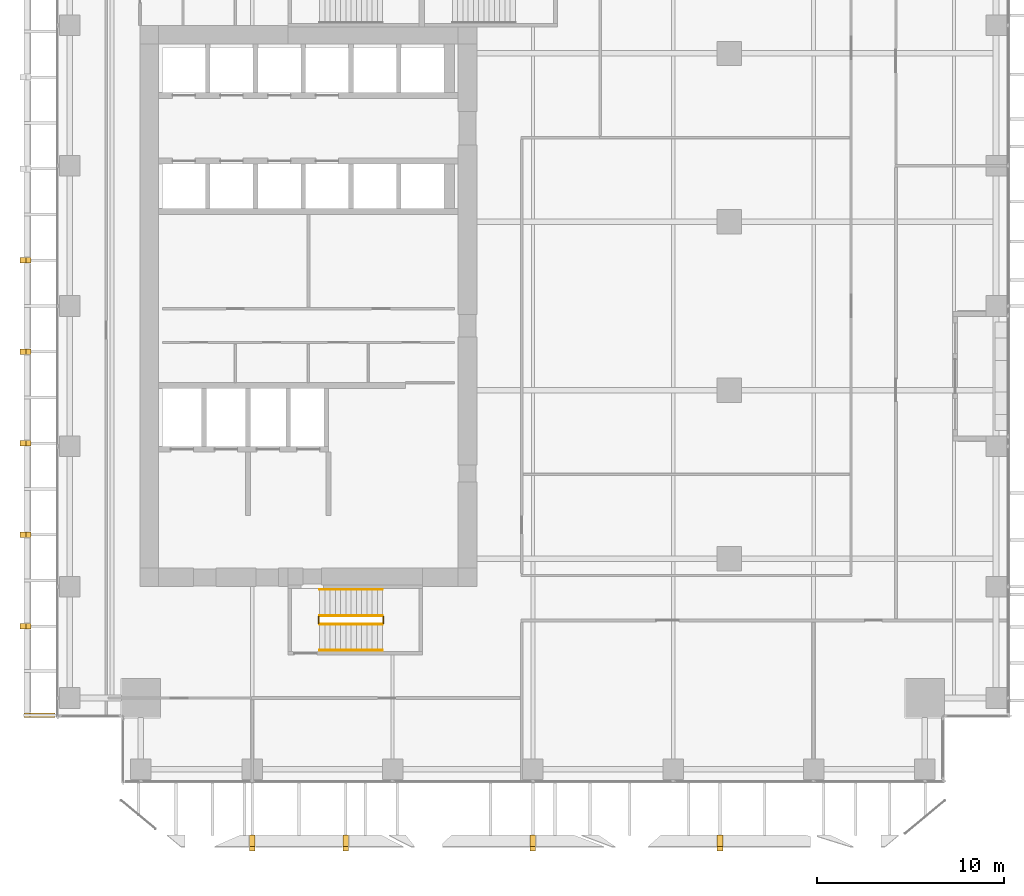
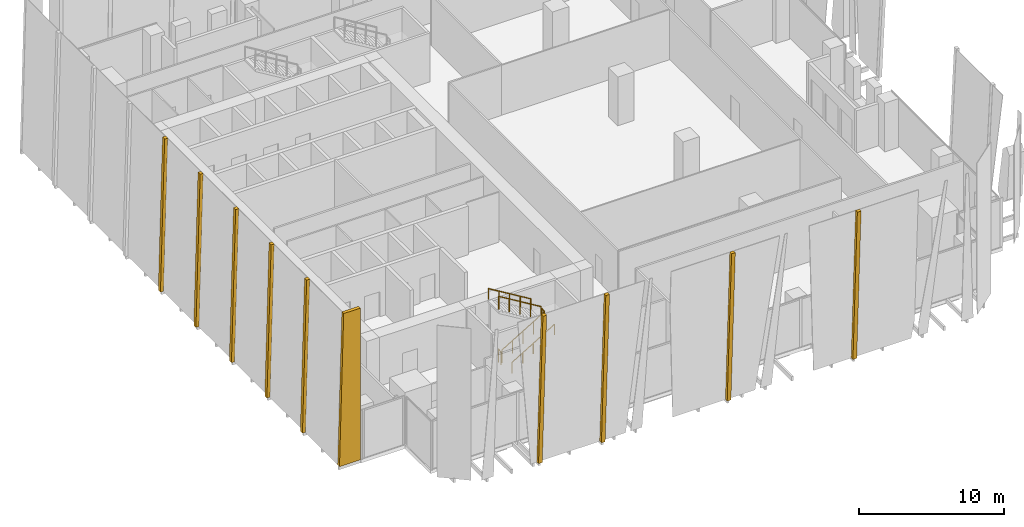
# One storey, part 32 of 36: 10 coverings, 6 railings.
"""IFC4 building model written with IfcOpenShell, lengths in metres."""

from ifc_helpers import new_model, si_unit, direction, frame, origin, origin_2d, place, context, subcontext, project, spatial, polyline, circle, outline, extrude, source, transform, mapped, material, layer, layer_set, type_object, element, save


model = new_model("IFC4")

# Units and contexts
model_context = context("Model", 3, precision=1e-05, world=origin(), true_north=direction((0.0, 1.0)))
body_context = subcontext(model_context, "Body", "Model", "MODEL_VIEW")
ifc_project = project(units=[si_unit("LENGTHUNIT", "METRE"), si_unit("AREAUNIT", "SQUARE_METRE"), si_unit("VOLUMEUNIT", "CUBIC_METRE"), si_unit("PLANEANGLEUNIT", "RADIAN"), si_unit("MASSUNIT", "GRAM", prefix="KILO")], contexts=[model_context])

# Site, building, storey
site_placement = place(None, origin())
site = spatial("IfcSite", under=ifc_project, at=site_placement, CompositionType="ELEMENT")
building_placement = place(site_placement, origin())
building = spatial("IfcBuilding", under=site, at=building_placement, Name="Khomas Fold Tower", CompositionType="ELEMENT")
storey_placement = place(building_placement, frame((0.0, 0.0, 141.10009765625)))
storey = spatial("IfcBuildingStorey", under=building, at=storey_placement, Name="L30", CompositionType="ELEMENT", Elevation=141.10009765625)

# Coverings
ifc_material_1 = material(Name="Natural stone cladding", Category="masonry")
ifc_layer = layer(ifc_material_1, 0.25)
ifc_layer_set = layer_set([ifc_layer], Name="Natural stone cladding")
covering_type = type_object("IfcCoveringType", Name="SK-Karibib marble stone mullion", PredefinedType="CLADDING", material=ifc_layer_set)
for number, where, z_axis, x_axis, name in (
    (1, (11.85009765625, -1.27978515625, 0.0), (0.0, 0.998875266546, 0.047415207295), (0.0, -0.047415207295, 0.998875266546), "OUTER SKIN mullion L30 SM100-5"),
    (2, (16.85009765625, -1.27978515625, 0.0), (0.0, 0.998875266546, 0.047415207295), (0.0, -0.047415207295, 0.998875266546), "OUTER SKIN mullion L30 SM101-7"),
    (3, (26.85009765625, -1.27978515625, 0.0), (0.0, 0.998875266546, 0.047415207295), (0.0, -0.047415207295, 0.998875266546), "OUTER SKIN mullion L30 SM103-11"),
    (4, (36.85009765625, -1.27978515625, 0.0), (0.0, 0.998875266546, 0.047415207295), (0.0, -0.047415207295, 0.998875266546), "OUTER SKIN mullion L30 SM105-15"),
):
    element("IfcCovering", number, at=place(storey_placement, frame(where, z_axis=z_axis, x_axis=x_axis)), inside=storey, type_object=covering_type, Name=name, PredefinedType="CLADDING", context=body_context, shape_type="SweptSolid", body=[
        extrude(outline(polyline([(0.0, 0.0), (12.764356498773964, 0.0), (12.764356498773964, 0.2998046875), (0.0, 0.2998046875), (0.0, 0.0)])), origin(), (0.0, 0.0, -1.0), 0.25),
    ])
for number, where, z_axis, x_axis, name in (
    (5, (-0.412841796875, 9.73876953125, 0.00634765625), (-0.999657592188, 0.0, 0.026166741891), (0.0, 1.0, 0.0), "OUTER SKIN mullion L30 W2"),
    (6, (-0.412841796875, 14.627685546875, 0.00634765625), (-0.999657592188, 0.0, 0.026166741891), (0.0, 1.0, 0.0), "OUTER SKIN mullion L30 W4"),
    (7, (-0.412841796875, 19.5166015625, 0.00634765625), (-0.999657592188, 0.0, 0.026166741891), (0.0, 1.0, 0.0), "OUTER SKIN mullion L30 W6"),
    (8, (-0.412841796875, 24.405517578125, 0.00634765625), (-0.999657592188, 0.0, 0.026166741891), (0.0, 1.0, 0.0), "OUTER SKIN mullion L30 W8"),
    (9, (-0.412841796875, 29.29443359375, 0.00634765625), (-0.999657592188, 0.0, 0.026166741891), (0.0, 1.0, 0.0), "OUTER SKIN mullion L30 W10"),
):
    element("IfcCovering", number, at=place(storey_placement, frame(where, z_axis=z_axis, x_axis=x_axis)), inside=storey, type_object=covering_type, Name=name, PredefinedType="CLADDING", context=body_context, shape_type="SweptSolid", body=[
        extrude(outline(polyline([(0.0, 0.0), (0.300048828125, 0.0), (0.300048828125, -12.754367194966619), (0.0, -12.754367194966619), (0.0, 0.0)])), origin(), (0.0, 0.0, -1.0), 0.25),
    ])
covering_placement = place(storey_placement, frame((1.449951171875, 5.0, 12.75), z_axis=(0.0, -1.0, 0.0), x_axis=(-1.0, 0.0, 0.0)))
element("IfcCovering", 10, at=covering_placement, inside=storey, type_object=covering_type, Name="OUTER SKIN return L30 W1", PredefinedType="CLADDING", context=body_context, shape_type="SweptSolid", body=[
    extrude(outline(polyline([(0.0, 0.0), (1.319091796875, 0.0), (1.653076171875, 12.75), (0.0, 12.75), (0.0, 0.0)])), origin(), (0.0, 0.0, -1.0), 0.25),
])

# Railings
ifc_material_2 = material(Name="Steel balustrade", Category="steel")
railing_type_1 = type_object("IfcRailingType", Name="Stair guard", PredefinedType="GUARDRAIL", material=ifc_material_2)
shared_shape_1 = source(origin(), body_context, "Body", "SweptSolid", [
    extrude(circle(Radius=0.02392578125, at=origin_2d()), frame((0.0, 0.0, 1.076171875), z_axis=(0.0, 1.0, 0.0), x_axis=(-1.0, 0.0, 0.0)), (0.0, 0.0, 1.0), 0.349853515625),
    extrude(circle(Radius=0.02099609375, at=origin_2d()), origin(), (0.0, 0.0, 1.0), 1.052001953125),
    extrude(circle(Radius=0.02099609375, at=origin_2d()), frame((0.0, 0.349853515625, 0.0)), (0.0, 0.0, 1.0), 1.052001953125),
])
for number, where, name in (
    (11, (19.010009765625, 10.050048828125, 2.199951171875), "L30 ST2 stair guard 2"),
    (12, (15.550048828125, 10.050048828125, 0.0), "L30 ST2 stair guard 4"),
):
    element("IfcRailing", number, at=place(storey_placement, frame(where)), inside=storey, type_object=railing_type_1, Name=name, PredefinedType="GUARDRAIL", context=body_context, shape_type="MappedRepresentation", body=[
        mapped(shared_shape_1, transform((0.0, 0.0, 0.0))),
    ])
shared_shape_2 = source(origin(), body_context, "Body", "SweptSolid", [
    extrude(circle(Radius=0.02392578125, at=origin_2d()), frame((0.0, 0.0, 1.076171875), z_axis=(0.855820338506, 0.0, 0.51727318527), x_axis=(0.0, 1.0, 0.0)), (0.0, 0.0, 1.0), 3.92578125),
    extrude(circle(Radius=0.02099609375, at=origin_2d()), origin(), (0.0, 0.0, 1.0), 1.052001953125),
    extrude(circle(Radius=0.02099609375, at=origin_2d()), frame((0.83984375, 0.0, 0.5078125)), (0.0, 0.0, 1.0), 1.052001953125),
    extrude(circle(Radius=0.02099609375, at=origin_2d()), frame((1.679931640625, 0.0, 1.015380859375)), (0.0, 0.0, 1.0), 1.052001953125),
    extrude(circle(Radius=0.02099609375, at=origin_2d()), frame((2.52001953125, 0.0, 1.52294921875)), (0.0, 0.0, 1.0), 1.052001953125),
    extrude(circle(Radius=0.02099609375, at=origin_2d()), frame((3.35986328125, 0.0, 2.03076171875)), (0.0, 0.0, 1.0), 1.052001953125),
])
railing_1_placement = place(storey_placement, frame((15.60009765625, 10.0, 0.169189453125)))
element("IfcRailing", 13, at=railing_1_placement, inside=storey, type_object=railing_type_1, Name="L30 ST2 stair guard 1", PredefinedType="GUARDRAIL", context=body_context, shape_type="MappedRepresentation", body=[
    mapped(shared_shape_2, transform((0.0, 0.0, 0.0))),
])
shared_shape_3 = source(origin(), body_context, "Body", "SweptSolid", [
    extrude(circle(Radius=0.02392578125, at=origin_2d()), frame((0.0, 0.0, 1.076171875), z_axis=(-0.855820338506, 0.0, 0.51727318527), x_axis=(0.0, -1.0, 0.0)), (0.0, 0.0, 1.0), 3.92578125),
    extrude(circle(Radius=0.02099609375, at=origin_2d()), origin(), (0.0, 0.0, 1.0), 1.052001953125),
    extrude(circle(Radius=0.02099609375, at=origin_2d()), frame((-0.83984375, 0.0, 0.5078125)), (0.0, 0.0, 1.0), 1.052001953125),
    extrude(circle(Radius=0.02099609375, at=origin_2d()), frame((-1.679931640625, 0.0, 1.015380859375)), (0.0, 0.0, 1.0), 1.052001953125),
    extrude(circle(Radius=0.02099609375, at=origin_2d()), frame((-2.52001953125, 0.0, 1.52294921875)), (0.0, 0.0, 1.0), 1.052001953125),
    extrude(circle(Radius=0.02099609375, at=origin_2d()), frame((-3.35986328125, 0.0, 2.03076171875)), (0.0, 0.0, 1.0), 1.052001953125),
])
railing_2_placement = place(storey_placement, frame((18.9599609375, 10.449951171875, 2.369140625)))
element("IfcRailing", 14, at=railing_2_placement, inside=storey, type_object=railing_type_1, Name="L30 ST2 stair guard 3", PredefinedType="GUARDRAIL", context=body_context, shape_type="MappedRepresentation", body=[
    mapped(shared_shape_3, transform((0.0, 0.0, 0.0))),
])
ifc_material_3 = material(Name="Steel handrail", Category="steel")
railing_type_2 = type_object("IfcRailingType", Name="Stair handrail", PredefinedType="HANDRAIL", material=ifc_material_3)
shared_shape_4 = source(origin(), body_context, "Body", "SweptSolid", [
    extrude(circle(Radius=0.02392578125, at=origin_2d()), frame((0.0, 0.0, 0.8759765625), z_axis=(0.855820338506, 0.0, 0.51727318527), x_axis=(0.0, 1.0, 0.0)), (0.0, 0.0, 1.0), 3.92578125),
    extrude(circle(Radius=0.02099609375, at=origin_2d()), origin(), (0.0, 0.0, 1.0), 0.851806640625),
    extrude(circle(Radius=0.02099609375, at=origin_2d()), frame((0.83984375, 0.0, 0.5078125)), (0.0, 0.0, 1.0), 0.851806640625),
    extrude(circle(Radius=0.02099609375, at=origin_2d()), frame((1.679931640625, 0.0, 1.015380859375)), (0.0, 0.0, 1.0), 0.851806640625),
    extrude(circle(Radius=0.02099609375, at=origin_2d()), frame((2.52001953125, 0.0, 1.52294921875)), (0.0, 0.0, 1.0), 0.851806640625),
    extrude(circle(Radius=0.02099609375, at=origin_2d()), frame((3.35986328125, 0.0, 2.03076171875)), (0.0, 0.0, 1.0), 0.851806640625),
])
railing_3_placement = place(storey_placement, frame((15.60009765625, 8.60009765625, 0.169189453125)))
element("IfcRailing", 15, at=railing_3_placement, inside=storey, type_object=railing_type_2, Name="L30 ST2 stair handrail 1", PredefinedType="HANDRAIL", context=body_context, shape_type="MappedRepresentation", body=[
    mapped(shared_shape_4, transform((0.0, 0.0, 0.0))),
])
shared_shape_5 = source(origin(), body_context, "Body", "SweptSolid", [
    extrude(circle(Radius=0.02392578125, at=origin_2d()), frame((0.0, 0.0, 0.8759765625), z_axis=(-0.855820338506, 0.0, 0.51727318527), x_axis=(0.0, -1.0, 0.0)), (0.0, 0.0, 1.0), 3.92578125),
    extrude(circle(Radius=0.02099609375, at=origin_2d()), origin(), (0.0, 0.0, 1.0), 0.851806640625),
    extrude(circle(Radius=0.02099609375, at=origin_2d()), frame((-0.83984375, 0.0, 0.5078125)), (0.0, 0.0, 1.0), 0.851806640625),
    extrude(circle(Radius=0.02099609375, at=origin_2d()), frame((-1.679931640625, 0.0, 1.015380859375)), (0.0, 0.0, 1.0), 0.851806640625),
    extrude(circle(Radius=0.02099609375, at=origin_2d()), frame((-2.52001953125, 0.0, 1.52294921875)), (0.0, 0.0, 1.0), 0.851806640625),
    extrude(circle(Radius=0.02099609375, at=origin_2d()), frame((-3.35986328125, 0.0, 2.03076171875)), (0.0, 0.0, 1.0), 0.851806640625),
])
railing_4_placement = place(storey_placement, frame((18.9599609375, 11.85009765625, 2.369140625)))
element("IfcRailing", 16, at=railing_4_placement, inside=storey, type_object=railing_type_2, Name="L30 ST2 stair handrail 2", PredefinedType="HANDRAIL", context=body_context, shape_type="MappedRepresentation", body=[
    mapped(shared_shape_5, transform((0.0, 0.0, 0.0))),
])

save(model, "model.ifc")
